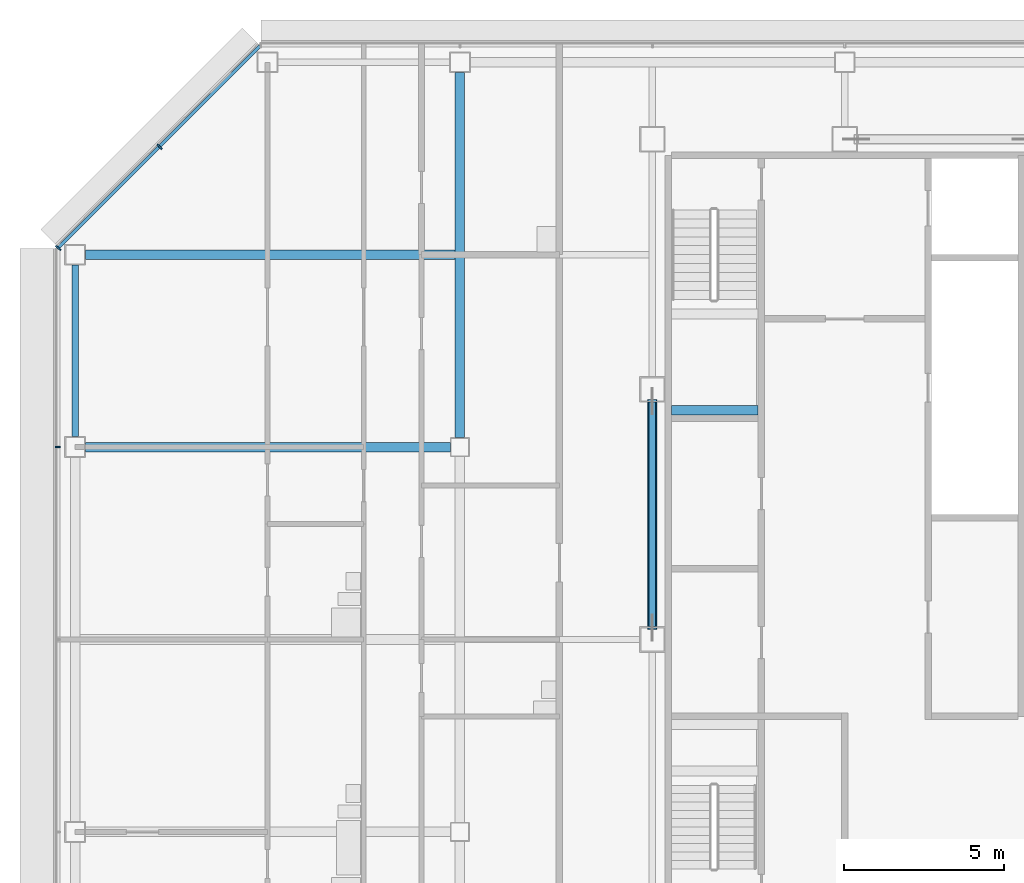
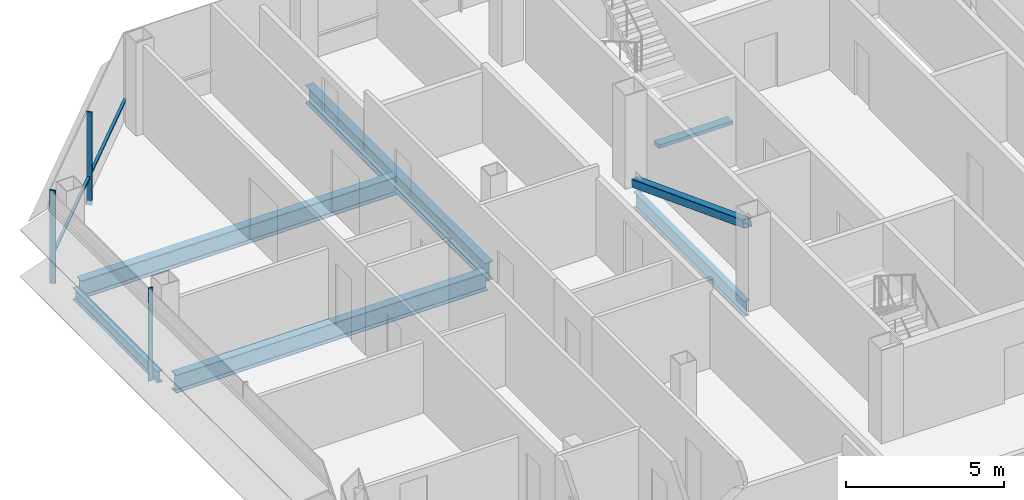
# One storey, part 11 of 27: 6 beams, 5 members, 2 elements without a shape of their own.
"""IFC4 building model written with IfcOpenShell, lengths in metres."""

from ifc_helpers import new_model, si_unit, direction, frame, origin, origin_2d, place, context, subcontext, project, spatial, rectangle, hollow_rectangle, i_section, extrude, material, material_profile, profile_set, type_object, element, aggregate, save


model = new_model("IFC4")

# Units and contexts
model_context = context("Model", 3, precision=1e-05, world=origin(), true_north=direction((0.0, 1.0)))
body_context = subcontext(model_context, "Body", "Model", "MODEL_VIEW")
ifc_project = project(units=[si_unit("LENGTHUNIT", "METRE"), si_unit("AREAUNIT", "SQUARE_METRE"), si_unit("VOLUMEUNIT", "CUBIC_METRE"), si_unit("PLANEANGLEUNIT", "RADIAN"), si_unit("MASSUNIT", "GRAM", prefix="KILO")], contexts=[model_context])

# Site, building, storey
site_placement = place(None, origin())
site = spatial("IfcSite", under=ifc_project, at=site_placement, CompositionType="ELEMENT")
building_placement = place(site_placement, origin())
building = spatial("IfcBuilding", under=site, at=building_placement, Name="Sorahane Residences", CompositionType="ELEMENT")
storey_placement = place(building_placement, frame((0.0, 0.0, 202.800048828125)))
storey = spatial("IfcBuildingStorey", under=building, at=storey_placement, Name="L47", CompositionType="ELEMENT", Elevation=202.800048828125)

# Member
ifc_material_1 = material(Name="Steel Q355B", Category="steel")
ifc_material_profile_1 = material_profile(ifc_material_1, hollow_rectangle(XDim=0.300048828125, YDim=0.300048828125, WallThickness=0.01611328125, InnerFilletRadius=0.008056640625, OuterFilletRadius=0.02392578125, at=origin_2d()), Name="RHS 300x300x16")
ifc_profile_set_1 = profile_set([ifc_material_profile_1], Name="Steel Q355B")
member_type_1 = type_object("IfcMemberType", Name="Core brace RHS 300x300x16 Q355B", PredefinedType="BRACE", material=ifc_profile_set_1)
member_1_placement = place(storey_placement, frame((6.0, 37.43212890625, 0.1376953125), z_axis=(0.0, -0.934335722983, 0.356394103147), x_axis=(1.0, 0.0, 0.0)))
element("IfcMember", 1, at=member_1_placement, inside=storey, type_object=member_type_1, Name="Core brace L47 x6-2", PredefinedType="BRACE", context=body_context, shape_type="SweptSolid", body=[
    extrude(hollow_rectangle(XDim=0.300048828125, YDim=0.300048828125, WallThickness=0.01611328125, InnerFilletRadius=0.008056640625, OuterFilletRadius=0.02392578125, at=origin_2d()), origin(), (0.0, 0.0, 1.0), 7.560791015625),
])

# Curtain wall, member
ifc_material_2 = material(Name="Dark low-e glass and black anodised aluminium", Category="aluminium")
curtain_wall_type_1 = type_object("IfcCurtainWallType", Name="Curtain wall CW-1 Typical unitised wall", PredefinedType="NOTDEFINED", material=ifc_material_2)
curtain_wall_1_placement = place(storey_placement, origin())
curtain_wall_1 = element("IfcCurtainWall", 2, at=curtain_wall_1_placement, inside=storey, type_object=curtain_wall_type_1, Name="CW-1 curtain wall L47 W1", PredefinedType="NOTDEFINED")
ifc_material_3 = material(Name="Black anodised aluminium", Category="aluminium")
ifc_material_profile_2 = material_profile(ifc_material_3, rectangle(XDim=0.159912109375, YDim=0.050048828125, at=origin_2d()), Name="Curtain wall mullion CW-1 black anodised aluminium 50x160")
ifc_profile_set_2 = profile_set([ifc_material_profile_2], Name="Black anodised aluminium")
member_type_2 = type_object("IfcMemberType", Name="Curtain wall mullion CW-1 black anodised aluminium 50x160", PredefinedType="MULLION", material=ifc_profile_set_2)
member_2_placement = place(storey_placement, frame((-12.5400390625, 36.0, -0.179931640625), z_axis=(0.0, 0.0, 1.0), x_axis=(-1.0, 0.0, 0.0)))
member_2 = element("IfcMember", 3, at=member_2_placement, type_object=member_type_2, Name="CW-1 mullion L47 W1.2", PredefinedType="MULLION", context=body_context, shape_type="SweptSolid", body=[
    extrude(rectangle(XDim=0.159912109375, YDim=0.050048828125, at=origin_2d()), origin(), (0.0, 0.0, 1.0), 3.599853515625),
])
aggregate(curtain_wall_1, [member_2])

# Curtain wall, members
ifc_material_4 = material(Name="Dark low-e glass and black anodised aluminium", Category="aluminium")
curtain_wall_type_2 = type_object("IfcCurtainWallType", Name="Curtain wall CW-2 Chamfer unitised wall", PredefinedType="NOTDEFINED", material=ifc_material_4)
curtain_wall_2_placement = place(storey_placement, origin())
curtain_wall_2 = element("IfcCurtainWall", 4, at=curtain_wall_2_placement, inside=storey, type_object=curtain_wall_type_2, Name="CW-2 curtain wall L47 NW1", PredefinedType="NOTDEFINED")
ifc_material_5 = material(Name="Black anodised aluminium", Category="aluminium")
ifc_material_profile_3 = material_profile(ifc_material_5, rectangle(XDim=0.199951171875, YDim=0.050048828125, at=origin_2d()), Name="Curtain wall mullion CW-2 black anodised aluminium 50x200")
ifc_profile_set_3 = profile_set([ifc_material_profile_3], Name="Black anodised aluminium")
member_type_3 = type_object("IfcMemberType", Name="Curtain wall mullion CW-2 black anodised aluminium 50x200", PredefinedType="MULLION", material=ifc_profile_set_3)
member_3_placement = place(storey_placement, frame((-9.36767578125, 45.36767578125, -0.179931640625), z_axis=(0.0, 0.0, 1.0), x_axis=(-0.707106781187, 0.707106781187, 0.0)))
member_3 = element("IfcMember", 5, at=member_3_placement, type_object=member_type_3, Name="CW-2 mullion L47 NW1.2", PredefinedType="MULLION", context=body_context, shape_type="SweptSolid", body=[
    extrude(rectangle(XDim=0.199951171875, YDim=0.050048828125, at=origin_2d()), origin(), (0.0, 0.0, 1.0), 3.599853515625),
])
member_4_placement = place(storey_placement, frame((-12.525634765625, 42.209716796875, -0.179931640625), z_axis=(0.0, 0.0, 1.0), x_axis=(-0.707106781187, 0.707106781187, 0.0)))
member_4 = element("IfcMember", 6, at=member_4_placement, type_object=member_type_3, Name="CW-2 mullion L47 NW1.3", PredefinedType="MULLION", context=body_context, shape_type="SweptSolid", body=[
    extrude(rectangle(XDim=0.199951171875, YDim=0.050048828125, at=origin_2d()), origin(), (0.0, 0.0, 1.0), 3.599853515625),
])
ifc_material_6 = material(Name="Black anodised aluminium", Category="aluminium")
ifc_material_profile_4 = material_profile(ifc_material_6, rectangle(XDim=0.10009765625, YDim=0.06005859375, at=origin_2d()), Name="Curtain wall transom CW-2 black anodised aluminium 60x100")
ifc_profile_set_4 = profile_set([ifc_material_profile_4], Name="Black anodised aluminium")
member_type_4 = type_object("IfcMemberType", Name="Curtain wall transom CW-2 black anodised aluminium 60x100", PredefinedType="USERDEFINED", material=ifc_profile_set_4)
member_5_placement = place(storey_placement, frame((-6.234375, 48.51513671875, 0.89990234375), z_axis=(-0.707106781187, -0.707106781187, 0.0), x_axis=(0.707106781187, -0.707106781187, 0.0)))
member_5 = element("IfcMember", 7, at=member_5_placement, type_object=member_type_4, Name="CW-2 transom L47 NW1", ObjectType="TRANSOM", PredefinedType="USERDEFINED", context=body_context, shape_type="SweptSolid", body=[
    extrude(rectangle(XDim=0.10009765625, YDim=0.06005859375, at=origin_2d()), origin(), (0.0, 0.0, 1.0), 8.88232421875),
])
aggregate(curtain_wall_2, [member_3, member_4, member_5])

# Beams
ifc_material_7 = material(Name="Concrete C40", Category="concrete")
ifc_material_profile_5 = material_profile(ifc_material_7, rectangle(XDim=0.300048828125, YDim=0.139892578125, at=origin_2d()), Name="300x140")
ifc_profile_set_5 = profile_set([ifc_material_profile_5], Name="Concrete C40")
beam_type_1 = type_object("IfcBeamType", Name="RC landing beam 300 x 140 Concrete C40", PredefinedType="BEAM", material=ifc_profile_set_5)
beam_1_placement = place(storey_placement, frame((6.60009765625, 37.14990234375, 1.530029296875), z_axis=(1.0, 0.0, 0.0), x_axis=(0.0, 1.0, 0.0)))
element("IfcBeam", 8, at=beam_1_placement, inside=storey, type_object=beam_type_1, Name="Landing beam", PredefinedType="BEAM", context=body_context, shape_type="SweptSolid", body=[
    extrude(rectangle(XDim=0.300048828125, YDim=0.139892578125, at=origin_2d()), origin(), (0.0, 0.0, 1.0), 2.699951171875),
])
ifc_material_8 = material(Name="Steel Q355B", Category="steel")
ifc_material_profile_6 = material_profile(ifc_material_8, i_section(OverallWidth=0.199951171875, OverallDepth=0.449951171875, WebThickness=0.009033203125, FlangeThickness=0.013916015625, FilletRadius=0.02001953125, at=origin_2d()), Name="HN 450x200x9x14")
ifc_profile_set_6 = profile_set([ifc_material_profile_6], Name="Steel Q355B")
beam_type_2 = type_object("IfcBeamType", Name="Steel floor beam HN 450x200x9x14 Q355B", PredefinedType="BEAM", material=ifc_profile_set_6)
beam_2_placement = place(storey_placement, frame((-12.0, 36.324951171875, -0.405029296875), z_axis=(0.0, 1.0, 0.0), x_axis=(-1.0, 0.0, 0.0)))
element("IfcBeam", 9, at=beam_2_placement, inside=storey, type_object=beam_type_2, Name="Beam L47 023", PredefinedType="BEAM", context=body_context, shape_type="SweptSolid", body=[
    extrude(i_section(OverallWidth=0.199951171875, OverallDepth=0.449951171875, WebThickness=0.009033203125, FlangeThickness=0.013916015625, FilletRadius=0.02001953125, at=origin_2d()), origin(), (0.0, 0.0, 1.0), 5.35009765625),
])
ifc_material_9 = material(Name="Steel Q355B", Category="steel")
ifc_material_profile_7 = material_profile(ifc_material_9, i_section(OverallWidth=0.199951171875, OverallDepth=0.60009765625, WebThickness=0.010986328125, FlangeThickness=0.01708984375, FilletRadius=0.02392578125, at=origin_2d()), Name="HN 600x200x11x17")
ifc_profile_set_7 = profile_set([ifc_material_profile_7], Name="Steel Q355B")
beam_type_3 = type_object("IfcBeamType", Name="Steel floor beam HN 600x200x11x17 Q355B", PredefinedType="BEAM", material=ifc_profile_set_7)
beam_3_placement = place(storey_placement, frame((6.0, 30.39990234375, -0.47998046875), z_axis=(0.0, 1.0, 0.0), x_axis=(-1.0, 0.0, 0.0)))
element("IfcBeam", 10, at=beam_3_placement, inside=storey, type_object=beam_type_3, Name="Beam L47 031", PredefinedType="BEAM", context=body_context, shape_type="SweptSolid", body=[
    extrude(i_section(OverallWidth=0.199951171875, OverallDepth=0.60009765625, WebThickness=0.010986328125, FlangeThickness=0.01708984375, FilletRadius=0.02392578125, at=origin_2d()), origin(), (0.0, 0.0, 1.0), 7.0),
])
ifc_material_10 = material(Name="Steel Q355B", Category="steel")
ifc_material_profile_8 = material_profile(ifc_material_10, i_section(OverallWidth=0.300048828125, OverallDepth=0.699951171875, WebThickness=0.012939453125, FlangeThickness=0.02392578125, FilletRadius=0.028076171875, at=origin_2d()), Name="HN 700x300x13x24")
ifc_profile_set_8 = profile_set([ifc_material_profile_8], Name="Steel Q355B")
beam_type_4 = type_object("IfcBeamType", Name="Steel floor beam HN 700x300x13x24 Q355B", PredefinedType="BEAM", material=ifc_profile_set_8)
for number, where, z_axis, x_axis, name in (
    (11, (-11.675048828125, 36.0, -0.530029296875), (1.0, 0.0, 0.0), (0.0, 1.0, 0.0), "Beam L47 013"),
    (12, (0.0, 36.300048828125, -0.530029296875), (0.0, 1.0, 0.0), (-1.0, 0.0, 0.0), "Beam L47 027"),
):
    element("IfcBeam", number, at=place(storey_placement, frame(where, z_axis=z_axis, x_axis=x_axis)), inside=storey, type_object=beam_type_4, Name=name, PredefinedType="BEAM", context=body_context, shape_type="SweptSolid", body=[
        extrude(i_section(OverallWidth=0.300048828125, OverallDepth=0.699951171875, WebThickness=0.012939453125, FlangeThickness=0.02392578125, FilletRadius=0.028076171875, at=origin_2d()), origin(), (0.0, 0.0, 1.0), 11.375),
    ])
beam_4_placement = place(storey_placement, frame((-11.675048828125, 42.0, -0.530029296875), z_axis=(1.0, 0.0, 0.0), x_axis=(0.0, 1.0, 0.0)))
element("IfcBeam", 13, at=beam_4_placement, inside=storey, type_object=beam_type_4, Name="Beam L47 089", PredefinedType="BEAM", context=body_context, shape_type="SweptSolid", body=[
    extrude(i_section(OverallWidth=0.300048828125, OverallDepth=0.699951171875, WebThickness=0.012939453125, FlangeThickness=0.02392578125, FilletRadius=0.028076171875, at=origin_2d()), origin(), (0.0, 0.0, 1.0), 11.525146484375),
])

save(model, "model.ifc")
